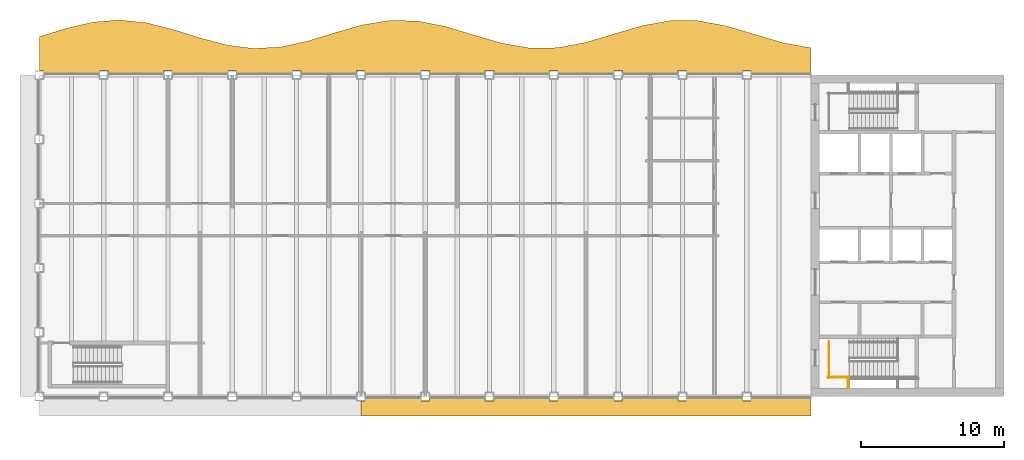
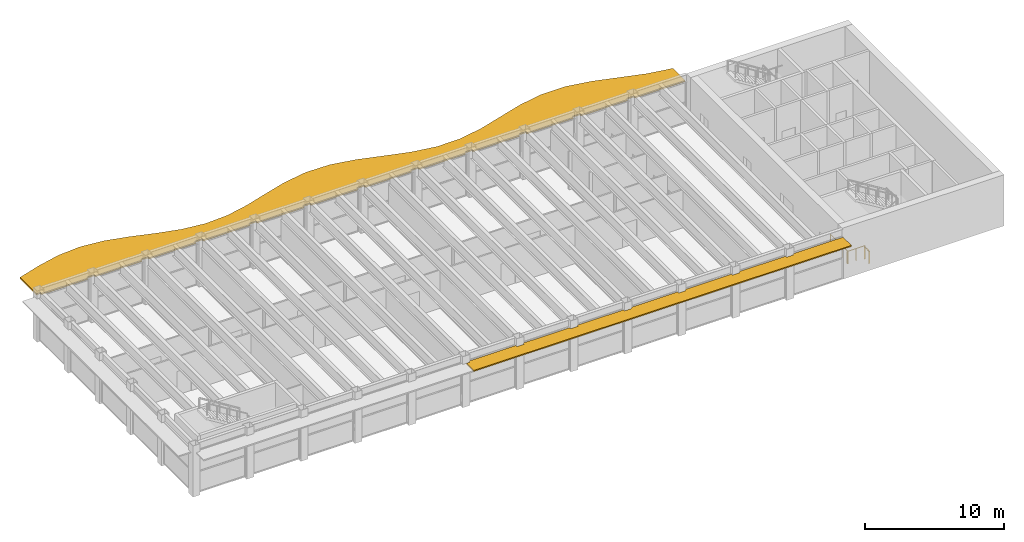
# One storey, part 14 of 15: 3 railings, 2 shading devices.
"""IFC4 building model written with IfcOpenShell, lengths in metres."""

from ifc_helpers import new_model, si_unit, direction, frame, origin, origin_2d, place, context, subcontext, project, spatial, polyline, rectangle, outline, extrude, material, layer, layer_set, type_object, element, save


model = new_model("IFC4")

# Units and contexts
model_context = context("Model", 3, precision=1e-05, world=origin(), true_north=direction((0.0, 1.0)))
body_context = subcontext(model_context, "Body", "Model", "MODEL_VIEW")
ifc_project = project(units=[si_unit("LENGTHUNIT", "METRE"), si_unit("AREAUNIT", "SQUARE_METRE"), si_unit("VOLUMEUNIT", "CUBIC_METRE"), si_unit("PLANEANGLEUNIT", "RADIAN"), si_unit("MASSUNIT", "GRAM", prefix="KILO")], contexts=[model_context])

# Site, building, storey
site_placement = place(None, origin())
site = spatial("IfcSite", under=ifc_project, at=site_placement, CompositionType="ELEMENT")
building_placement = place(site_placement, origin())
building = spatial("IfcBuilding", under=site, at=building_placement, Name="Sennacour Bend Tower", CompositionType="ELEMENT")
storey_placement = place(building_placement, frame((0.0, 0.0, 323.0)))
storey = spatial("IfcBuildingStorey", under=building, at=storey_placement, Name="L74", CompositionType="ELEMENT", Elevation=323.0)

# Railings
ifc_material_1 = material(Name="Stainless steel", Category="steel")
railing_type = type_object("IfcRailingType", Name="RL-GUARD-1100", PredefinedType="GUARDRAIL", material=ifc_material_1)
railing_1_placement = place(storey_placement, frame((55.199951171875, 1.35009765625, 0.0)))
element("IfcRailing", 1, at=railing_1_placement, inside=storey, type_object=railing_type, Name="L74 SA1 stair guard 6", PredefinedType="GUARDRAIL", context=body_context, shape_type="SweptSolid", body=[
    extrude(rectangle(XDim=0.048095703125, YDim=0.048095703125, at=origin_2d()), frame((0.0, 0.0, 1.076171875), z_axis=(1.0, 0.0, 0.0), x_axis=(0.0, 1.0, 0.0)), (0.0, 0.0, 1.0), 1.5),
    extrude(rectangle(XDim=0.0419921875, YDim=0.0419921875, at=origin_2d()), origin(), (0.0, 0.0, 1.0), 1.052001953125),
    extrude(rectangle(XDim=0.0419921875, YDim=0.0419921875, at=origin_2d()), frame((0.75, 0.0, 0.0)), (0.0, 0.0, 1.0), 1.052001953125),
    extrude(rectangle(XDim=0.0419921875, YDim=0.0419921875, at=origin_2d()), frame((1.5, 0.0, 0.0)), (0.0, 0.0, 1.0), 1.052001953125),
])
railing_2_placement = place(storey_placement, frame((55.25, 1.300048828125, 0.0)))
element("IfcRailing", 2, at=railing_2_placement, inside=storey, type_object=railing_type, Name="L74 SA1 stair guard 7", PredefinedType="GUARDRAIL", context=body_context, shape_type="SweptSolid", body=[
    extrude(rectangle(XDim=0.048095703125, YDim=0.048095703125, at=origin_2d()), frame((0.0, 0.0, 1.076171875), z_axis=(0.0, 1.0, 0.0), x_axis=(-1.0, 0.0, 0.0)), (0.0, 0.0, 1.0), 2.550048828125),
    extrude(rectangle(XDim=0.0419921875, YDim=0.0419921875, at=origin_2d()), origin(), (0.0, 0.0, 1.0), 1.052001953125),
    extrude(rectangle(XDim=0.0419921875, YDim=0.0419921875, at=origin_2d()), frame((0.0, 0.85009765625, 0.0)), (0.0, 0.0, 1.0), 1.052001953125),
    extrude(rectangle(XDim=0.0419921875, YDim=0.0419921875, at=origin_2d()), frame((0.0, 1.699951171875, 0.0)), (0.0, 0.0, 1.0), 1.052001953125),
    extrude(rectangle(XDim=0.0419921875, YDim=0.0419921875, at=origin_2d()), frame((0.0, 2.550048828125, 0.0)), (0.0, 0.0, 1.0), 1.052001953125),
])
railing_3_placement = place(storey_placement, frame((56.60009765625, 1.25, 0.0)))
element("IfcRailing", 3, at=railing_3_placement, inside=storey, type_object=railing_type, Name="L74 SA1 landing edge guard 161", PredefinedType="GUARDRAIL", context=body_context, shape_type="SweptSolid", body=[
    extrude(rectangle(XDim=0.048095703125, YDim=0.048095703125, at=origin_2d()), frame((0.0, 0.0, 1.076171875), z_axis=(0.0, -1.0, 0.0), x_axis=(1.0, 0.0, 0.0)), (0.0, 0.0, 1.0), 0.64990234375),
    extrude(rectangle(XDim=0.0419921875, YDim=0.0419921875, at=origin_2d()), origin(), (0.0, 0.0, 1.0), 1.052001953125),
    extrude(rectangle(XDim=0.0419921875, YDim=0.0419921875, at=origin_2d()), frame((0.0, -0.64990234375, 0.0)), (0.0, 0.0, 1.0), 1.052001953125),
])

# Shading devices
ifc_material_2 = material(Name="Bronze anodised aluminium", Category="aluminium")
ifc_layer_1 = layer(ifc_material_2, 0.10009765625, Name="Bronze anodised aluminium", Category="aluminium")
ifc_layer_set_1 = layer_set([ifc_layer_1], Name="Bronze anodised aluminium")
shading_device_type_1 = type_object("IfcShadingDeviceType", Name="SUNSHADE BAND STRAIGHT", PredefinedType="USERDEFINED", material=ifc_layer_set_1)
shading_device_1_placement = place(storey_placement, frame((0.0, 0.0, 3.572021484375)))
element("IfcShadingDevice", 4, at=shading_device_1_placement, inside=storey, type_object=shading_device_type_1, Name="Sunshade band L74 A outer face", ObjectType="SUNSHADE", PredefinedType="USERDEFINED", context=body_context, shape_type="SweptSolid", body=[
    extrude(outline(polyline([(26.699951171875, -0.14990234375), (26.699951171875, -0.300048828125), (27.300048828125, -0.300048828125), (27.300048828125, -0.14990234375), (31.199951171875, -0.14990234375), (31.199951171875, -0.300048828125), (31.800048828125, -0.300048828125), (31.800048828125, -0.14990234375), (35.699951171875, -0.14990234375), (35.699951171875, -0.300048828125), (36.300048828125, -0.300048828125), (36.300048828125, -0.14990234375), (40.199951171875, -0.14990234375), (40.199951171875, -0.300048828125), (40.800048828125, -0.300048828125), (40.800048828125, -0.14990234375), (44.699951171875, -0.14990234375), (44.699951171875, -0.300048828125), (45.300048828125, -0.300048828125), (45.300048828125, -0.14990234375), (49.199951171875, -0.14990234375), (49.199951171875, -0.300048828125), (49.800048828125, -0.300048828125), (49.800048828125, -0.14990234375), (54.0, -0.14990234375), (54.0, -1.35009765625), (22.5, -1.35009765625), (22.5, -0.300048828125), (22.800048828125, -0.300048828125), (22.800048828125, -0.14990234375), (26.699951171875, -0.14990234375)])), origin(), (0.0, 0.0, 1.0), 0.10009765625),
])
ifc_layer_2 = layer(ifc_material_2, 0.1201171875, Name="Bronze anodised aluminium", Category="aluminium")
ifc_layer_set_2 = layer_set([ifc_layer_2], Name="Bronze anodised aluminium")
shading_device_type_2 = type_object("IfcShadingDeviceType", Name="SUNSHADE BAND WAVE", PredefinedType="USERDEFINED", material=ifc_layer_set_2)
shading_device_2_placement = place(storey_placement, frame((0.0, 0.0, 3.552001953125)))
element("IfcShadingDevice", 5, at=shading_device_2_placement, inside=storey, type_object=shading_device_type_2, Name="Sunshade band L74 concave faces", ObjectType="SUNSHADE", PredefinedType="USERDEFINED", context=body_context, shape_type="SweptSolid", body=[
    extrude(outline(polyline([(54.0, 22.64990234375), (49.800048828125, 22.64990234375), (49.800048828125, 22.800048828125), (49.199951171875, 22.800048828125), (49.199951171875, 22.64990234375), (45.300048828125, 22.64990234375), (45.300048828125, 22.800048828125), (44.699951171875, 22.800048828125), (44.699951171875, 22.64990234375), (40.800048828125, 22.64990234375), (40.800048828125, 22.800048828125), (40.199951171875, 22.800048828125), (40.199951171875, 22.64990234375), (36.300048828125, 22.64990234375), (36.300048828125, 22.800048828125), (35.699951171875, 22.800048828125), (35.699951171875, 22.64990234375), (31.800048828125, 22.64990234375), (31.800048828125, 22.800048828125), (31.199951171875, 22.800048828125), (31.199951171875, 22.64990234375), (27.300048828125, 22.64990234375), (27.300048828125, 22.800048828125), (26.699951171875, 22.800048828125), (26.699951171875, 22.64990234375), (22.800048828125, 22.64990234375), (22.800048828125, 22.800048828125), (22.199951171875, 22.800048828125), (22.199951171875, 22.64990234375), (18.300048828125, 22.64990234375), (18.300048828125, 22.800048828125), (17.699951171875, 22.800048828125), (17.699951171875, 22.64990234375), (13.800048828125, 22.64990234375), (13.800048828125, 22.800048828125), (13.199951171875, 22.800048828125), (13.199951171875, 22.64990234375), (9.300048828125, 22.64990234375), (9.300048828125, 22.800048828125), (8.699951171875, 22.800048828125), (8.699951171875, 22.64990234375), (4.800048828125, 22.64990234375), (4.800048828125, 22.800048828125), (4.199951171875, 22.800048828125), (4.199951171875, 22.64990234375), (0.300048828125, 22.64990234375), (0.300048828125, 22.800048828125), (0.0, 22.800048828125), (0.0, 25.179443359375), (1.875, 25.760986328125), (3.75, 26.201416015625), (5.625, 26.34912109375), (7.5, 26.1533203125), (9.375, 25.681640625), (11.25, 25.095703125), (13.125, 24.597412109375), (15.0, 24.357666015625), (16.875, 24.458984375), (18.75, 24.86669921875), (20.625, 25.440185546875), (22.5, 25.98291015625), (24.46875, 26.316162109375), (26.4375, 26.284423828125), (28.40625, 25.899658203125), (30.375, 25.30712890625), (32.34375, 24.73095703125), (34.3125, 24.388427734375), (36.28125, 24.409423828125), (38.25, 24.78564453125), (40.21875, 25.375), (42.1875, 25.955078125), (44.15625, 26.306396484375), (46.125, 26.29638671875), (48.09375, 25.92919921875), (50.0625, 25.343017578125), (52.03125, 24.75927734375), (54.0, 24.39892578125), (54.0, 22.64990234375)])), origin(), (0.0, 0.0, 1.0), 0.1201171875),
])

save(model, "model.ifc")
